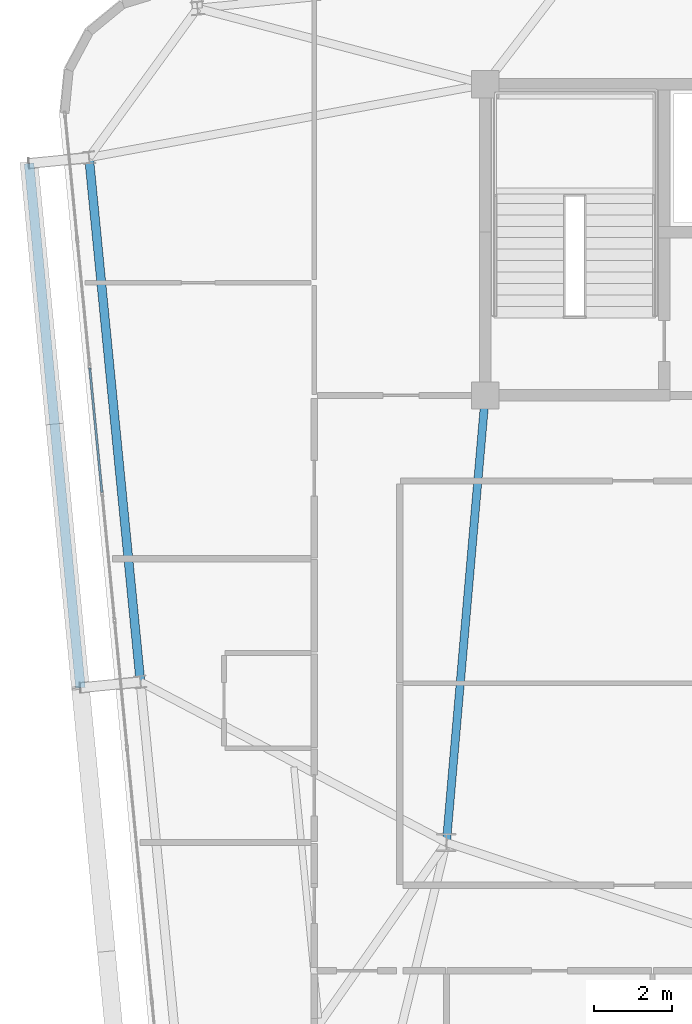
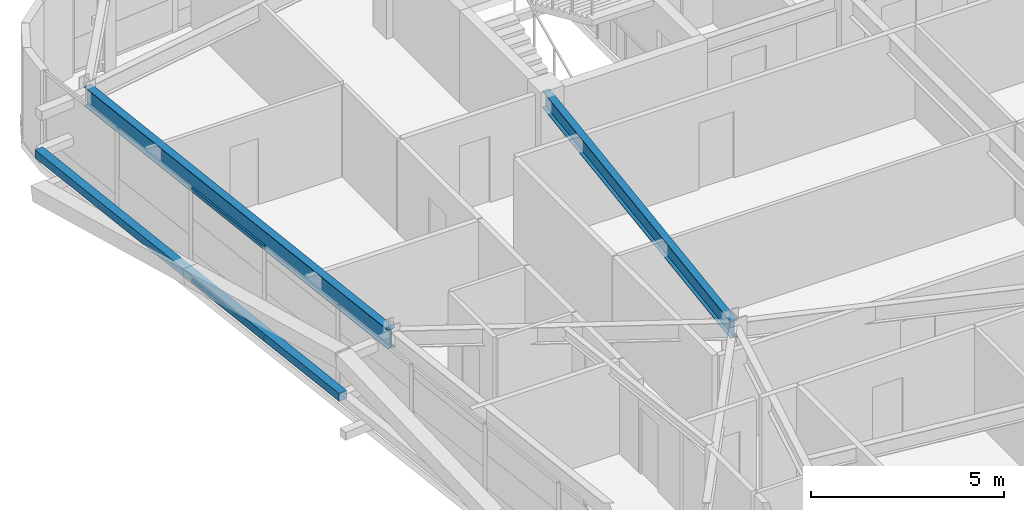
# One storey, part 14 of 54: 3 members, 2 beams, 1 element without a shape of its own.
"""IFC4 building model written with IfcOpenShell, lengths in metres."""

from ifc_helpers import new_model, si_unit, direction, frame, origin, origin_2d, place, context, subcontext, project, spatial, hollow_rectangle, i_section, extrude, source, transform, mapped, material, layer, layer_set, material_profile, profile_set, type_object, element, aggregate, save


model = new_model("IFC4")

# Units and contexts
model_context = context("Model", 3, precision=1e-05, world=origin(), true_north=direction((0.0, 1.0)))
body_context = subcontext(model_context, "Body", "Model", "MODEL_VIEW")
ifc_project = project(units=[si_unit("LENGTHUNIT", "METRE"), si_unit("AREAUNIT", "SQUARE_METRE"), si_unit("VOLUMEUNIT", "CUBIC_METRE"), si_unit("PLANEANGLEUNIT", "RADIAN"), si_unit("MASSUNIT", "GRAM", prefix="KILO")], contexts=[model_context])

# Site, building, storey
site_placement = place(None, origin())
site = spatial("IfcSite", under=ifc_project, at=site_placement, CompositionType="ELEMENT")
building_placement = place(site_placement, origin())
building = spatial("IfcBuilding", under=site, at=building_placement, Name="Taldren Reach Tower", CompositionType="ELEMENT")
storey_placement = place(building_placement, frame((0.0, 0.0, 99.75)))
storey = spatial("IfcBuildingStorey", under=building, at=storey_placement, Name="L30", CompositionType="ELEMENT", Elevation=99.75)

# Beams
ifc_material_1 = material(Name="Steel Gr 350 (350PLUS)", Category="steel")
ifc_material_profile_1 = material_profile(ifc_material_1, i_section(OverallWidth=0.208984375, OverallDepth=0.532958984375, WebThickness=0.01025390625, FlangeThickness=0.015625, at=origin_2d()), Name="530UB92.4")
ifc_profile_set_1 = profile_set([ifc_material_profile_1], Name="Steel Gr 350 (350PLUS)")
beam_type_1 = type_object("IfcBeamType", Name="BM-UB530A", PredefinedType="BEAM", material=ifc_profile_set_1)
shared_shape_1 = source(origin(), body_context, "Body", "SweptSolid", [
    extrude(i_section(OverallWidth=0.208984375, OverallDepth=0.532958984375, WebThickness=0.01025390625, FlangeThickness=0.015625, at=origin_2d()), origin(), (0.0, 0.0, 1.0), 11.54345703125),
])
beam_1_placement = place(storey_placement, frame((19.0, 24.0, 2.66357421875), z_axis=(-0.086629616365, -0.996240588196, 0.0), x_axis=(0.996240588196, -0.086629616365, 0.0)))
element("IfcBeam", 1, at=beam_1_placement, inside=storey, type_object=beam_type_1, Name="Core-spine girder L30-SP09", PredefinedType="BEAM", context=body_context, shape_type="MappedRepresentation", body=[
    mapped(shared_shape_1, transform((0.0, 0.0, 0.0), scale=1.0)),
])
ifc_material_profile_2 = material_profile(ifc_material_1, i_section(OverallWidth=0.22802734375, OverallDepth=0.60205078125, WebThickness=0.010498046875, FlangeThickness=0.014892578125, at=origin_2d()), Name="610UB101")
ifc_profile_set_2 = profile_set([ifc_material_profile_2], Name="Steel Gr 350 (350PLUS)")
beam_type_2 = type_object("IfcBeamType", Name="BM-UB610B", PredefinedType="BEAM", material=ifc_profile_set_2)
shared_shape_2 = source(origin(), body_context, "Body", "SweptSolid", [
    extrude(i_section(OverallWidth=0.22802734375, OverallDepth=0.60205078125, WebThickness=0.010498046875, FlangeThickness=0.014892578125, at=origin_2d()), origin(), (0.0, 0.0, 1.0), 13.550048828125),
])
beam_2_placement = place(storey_placement, frame((8.808349609375, 30.116455078125, 2.62890625), z_axis=(0.097584021339, -0.995227290009, 0.0), x_axis=(0.995227290009, 0.097584021339, 0.0)))
element("IfcBeam", 2, at=beam_2_placement, inside=storey, type_object=beam_type_2, Name="Perimeter gable girder B2 W3-W2 L30", PredefinedType="BEAM", context=body_context, shape_type="MappedRepresentation", body=[
    mapped(shared_shape_2, transform((0.0, 0.0, 0.0), scale=1.0)),
])

# Member
ifc_material_2 = material(Name="Steel Gr 350 (C350L0)", Category="steel")
ifc_material_profile_3 = material_profile(ifc_material_2, hollow_rectangle(XDim=0.25, YDim=0.25, WallThickness=0.010009765625, at=origin_2d()), Name="250x250x10.0SHS")
ifc_profile_set_3 = profile_set([ifc_material_profile_3], Name="Steel Gr 350 (C350L0)")
member_type_1 = type_object("IfcMemberType", Name="MB-POST250", PredefinedType="POST", material=ifc_profile_set_3)
shared_shape_3 = source(origin(), body_context, "Body", "SweptSolid", [
    extrude(hollow_rectangle(XDim=0.25, YDim=0.25, WallThickness=0.010009765625, at=origin_2d()), origin(), (0.0, 0.0, 1.0), 13.550048828125),
])
member_1_placement = place(storey_placement, frame((8.587890625, 16.479736328125, 1.43505859375), z_axis=(-0.097584021339, 0.995227290009, 0.0), x_axis=(-0.995227290009, -0.097584021339, 0.0)))
element("IfcMember", 3, at=member_1_placement, inside=storey, type_object=member_type_1, Name="Exoskeleton mid-height ring chord B2-W2 L30", PredefinedType="POST", context=body_context, shape_type="MappedRepresentation", body=[
    mapped(shared_shape_3, transform((0.0, 0.0, 0.0), scale=1.0)),
])

# Curtain wall, members
ifc_material_3 = material(Name="Aluminium and Low-E Glass Unitised System", Category="aluminium")
ifc_layer = layer(ifc_material_3, 0.159912109375)
ifc_layer_set = layer_set([ifc_layer], Name="Aluminium and Low-E Glass Unitised System")
curtain_wall_type = type_object("IfcCurtainWallType", Name="CW-SYS-3", PredefinedType="NOTDEFINED", material=ifc_layer_set)
curtain_wall_placement = place(storey_placement, origin())
curtain_wall = element("IfcCurtainWall", 4, at=curtain_wall_placement, inside=storey, type_object=curtain_wall_type, Name="Unitised curtain wall CW-L30-W", PredefinedType="NOTDEFINED")
ifc_material_4 = material(Name="Anodised Aluminium 6063-T6", Category="aluminium")
ifc_material_profile_4 = material_profile(ifc_material_4, hollow_rectangle(XDim=0.054931640625, YDim=0.1201171875, WallThickness=0.0029296875, at=origin_2d()), Name="ALU-120x55x3RHS")
ifc_profile_set_4 = profile_set([ifc_material_profile_4], Name="Anodised Aluminium 6063-T6")
member_type_2 = type_object("IfcMemberType", Name="CW-TRN-135", PredefinedType="USERDEFINED", material=ifc_profile_set_4)
shared_shape_4 = source(origin(), body_context, "Body", "SweptSolid", [
    extrude(hollow_rectangle(XDim=0.054931640625, YDim=0.1201171875, WallThickness=0.0029296875, at=origin_2d()), origin(), (0.0, 0.0, 1.0), 3.212890625),
])
member_2_placement = place(storey_placement, frame((8.826416015625, 24.704345703125, 0.027587890625), z_axis=(0.097569948235, -0.995228669805, 0.0), x_axis=(0.995228669805, 0.097569948235, 0.0)))
member_2 = element("IfcMember", 5, at=member_2_placement, type_object=member_type_2, Name="CW-3 transom 3.1", ObjectType="TRANSOM", PredefinedType="USERDEFINED", context=body_context, shape_type="MappedRepresentation", body=[
    mapped(shared_shape_4, transform((0.0, 0.0, 0.0), scale=1.0)),
])
member_3_placement = place(storey_placement, frame((8.826416015625, 24.704345703125, 2.902587890625), z_axis=(0.097569948235, -0.995228669805, 0.0), x_axis=(0.995228669805, 0.097569948235, 0.0)))
member_3 = element("IfcMember", 6, at=member_3_placement, type_object=member_type_2, Name="CW-3 transom 3.2", ObjectType="TRANSOM", PredefinedType="USERDEFINED", context=body_context, shape_type="MappedRepresentation", body=[
    mapped(shared_shape_4, transform((0.0, 0.0, 0.0), scale=1.0)),
])
aggregate(curtain_wall, [member_2, member_3])

save(model, "model.ifc")
